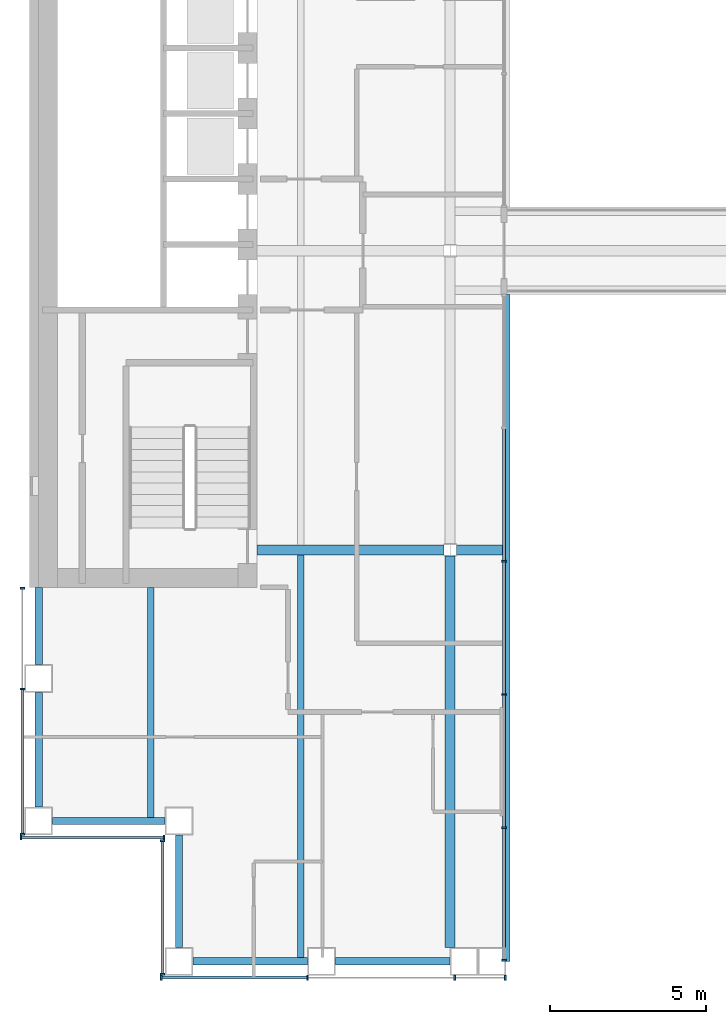
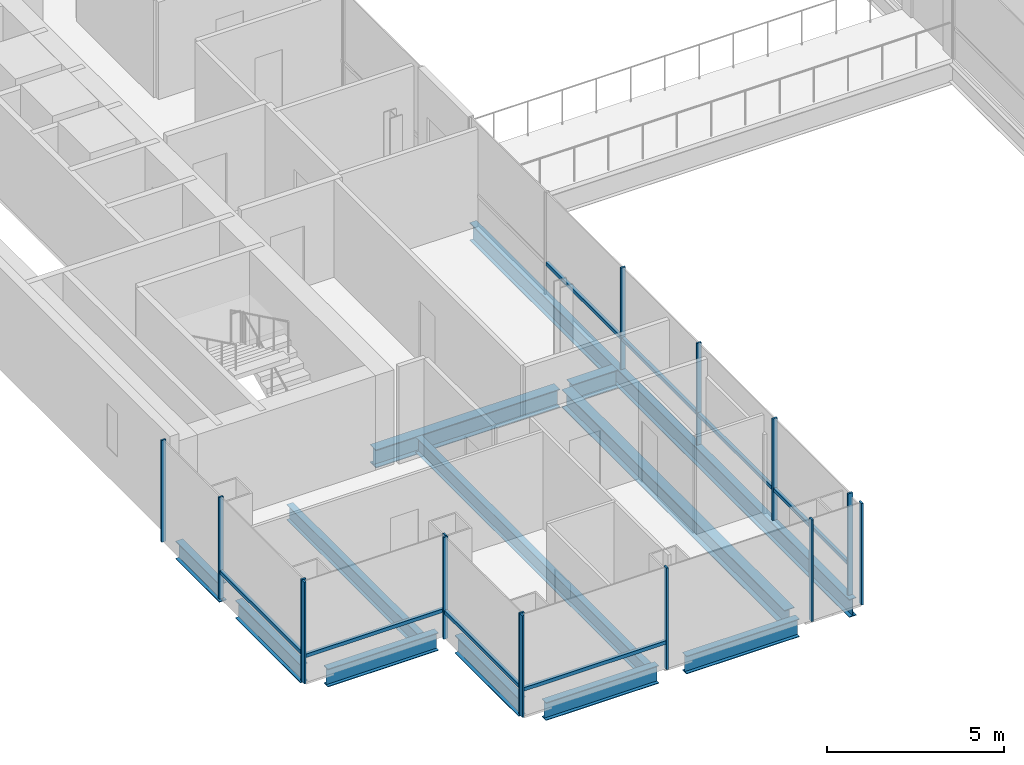
# One storey, part 2 of 16: 23 members, 12 beams, 5 elements without a shape of their own.
"""IFC4 building model written with IfcOpenShell, lengths in metres."""

from ifc_helpers import new_model, si_unit, direction, frame, origin, origin_2d, place, context, subcontext, project, spatial, rectangle, i_section, extrude, material, material_profile, profile_set, type_object, element, aggregate, save


model = new_model("IFC4")

# Units and contexts
model_context = context("Model", 3, precision=1e-05, world=origin(), true_north=direction((0.0, 1.0)))
body_context = subcontext(model_context, "Body", "Model", "MODEL_VIEW")
ifc_project = project(units=[si_unit("LENGTHUNIT", "METRE"), si_unit("AREAUNIT", "SQUARE_METRE"), si_unit("VOLUMEUNIT", "CUBIC_METRE"), si_unit("PLANEANGLEUNIT", "RADIAN"), si_unit("MASSUNIT", "GRAM", prefix="KILO")], contexts=[model_context])

# Site, building, storey
site_placement = place(None, origin())
site = spatial("IfcSite", under=ifc_project, at=site_placement, CompositionType="ELEMENT")
building_placement = place(site_placement, origin())
building = spatial("IfcBuilding", under=site, at=building_placement, Name="Cobrizo Arcos Hotel Tower", CompositionType="ELEMENT")
storey_placement = place(building_placement, frame((0.0, 0.0, 127.5)))
storey = spatial("IfcBuildingStorey", under=building, at=storey_placement, Name="L32", CompositionType="ELEMENT", Elevation=127.5)

# Curtain wall, members
ifc_material_1 = material(Name="Aluminium 6063-T6 anodised bronze", Category="aluminium")
curtain_wall_type_1 = type_object("IfcCurtainWallType", Name="CW-A guest facade", PredefinedType="NOTDEFINED", material=ifc_material_1)
curtain_wall_1_placement = place(storey_placement, origin())
curtain_wall_1 = element("IfcCurtainWall", 1, at=curtain_wall_1_placement, inside=storey, type_object=curtain_wall_type_1, Name="CW-A L32 S face", PredefinedType="NOTDEFINED")
ifc_material_profile_1 = material_profile(ifc_material_1, rectangle(XDim=0.14990234375, YDim=0.06005859375, at=origin_2d()), Name="CW-A mullion 150x60")
ifc_profile_set_1 = profile_set([ifc_material_profile_1], Name="Aluminium 6063-T6 anodised bronze")
member_type_1 = type_object("IfcMemberType", Name="CW-A mullion 150x60", PredefinedType="MULLION", material=ifc_profile_set_1)
member_1_placement = place(storey_placement, frame((-18.8701171875, -23.324951171875, 0.0), z_axis=(0.0, 0.0, 1.0), x_axis=(0.0, -1.0, 0.0)))
member_1 = element("IfcMember", 2, at=member_1_placement, type_object=member_type_1, Name="CW-A mullion 1", PredefinedType="MULLION", context=body_context, shape_type="SweptSolid", body=[
    extrude(rectangle(XDim=0.14990234375, YDim=0.06005859375, at=origin_2d()), origin(), (0.0, 0.0, 1.0), 3.5),
])
member_2_placement = place(storey_placement, frame((-14.175048828125, -23.324951171875, 0.0), z_axis=(0.0, 0.0, 1.0), x_axis=(0.0, -1.0, 0.0)))
member_2 = element("IfcMember", 3, at=member_2_placement, type_object=member_type_1, Name="CW-A mullion 2", PredefinedType="MULLION", context=body_context, shape_type="SweptSolid", body=[
    extrude(rectangle(XDim=0.14990234375, YDim=0.06005859375, at=origin_2d()), origin(), (0.0, 0.0, 1.0), 3.5),
])
member_3_placement = place(storey_placement, frame((-9.449951171875, -23.324951171875, 0.0), z_axis=(0.0, 0.0, 1.0), x_axis=(0.0, -1.0, 0.0)))
member_3 = element("IfcMember", 4, at=member_3_placement, type_object=member_type_1, Name="CW-A mullion 3", PredefinedType="MULLION", context=body_context, shape_type="SweptSolid", body=[
    extrude(rectangle(XDim=0.14990234375, YDim=0.06005859375, at=origin_2d()), origin(), (0.0, 0.0, 1.0), 3.5),
])
member_4_placement = place(storey_placement, frame((-7.830078125, -23.324951171875, 0.0), z_axis=(0.0, 0.0, 1.0), x_axis=(0.0, -1.0, 0.0)))
member_4 = element("IfcMember", 5, at=member_4_placement, type_object=member_type_1, Name="CW-A mullion 4", PredefinedType="MULLION", context=body_context, shape_type="SweptSolid", body=[
    extrude(rectangle(XDim=0.14990234375, YDim=0.06005859375, at=origin_2d()), origin(), (0.0, 0.0, 1.0), 3.5),
])

curtain_wall_2_placement = place(storey_placement, origin())
curtain_wall_2 = element("IfcCurtainWall", 6, at=curtain_wall_2_placement, inside=storey, type_object=curtain_wall_type_1, Name="CW-A L32 W face", PredefinedType="NOTDEFINED")
member_5_placement = place(storey_placement, frame((-23.324951171875, -10.830078125, 0.0), z_axis=(0.0, 0.0, 1.0), x_axis=(-1.0, 0.0, 0.0)))
member_5 = element("IfcMember", 7, at=member_5_placement, type_object=member_type_1, Name="CW-A mullion 1", PredefinedType="MULLION", context=body_context, shape_type="SweptSolid", body=[
    extrude(rectangle(XDim=0.14990234375, YDim=0.06005859375, at=origin_2d()), origin(), (0.0, 0.0, 1.0), 3.5),
])
member_6_placement = place(storey_placement, frame((-23.324951171875, -14.0625, 0.0), z_axis=(0.0, 0.0, 1.0), x_axis=(-1.0, 0.0, 0.0)))
member_6 = element("IfcMember", 8, at=member_6_placement, type_object=member_type_1, Name="CW-A mullion 2", PredefinedType="MULLION", context=body_context, shape_type="SweptSolid", body=[
    extrude(rectangle(XDim=0.14990234375, YDim=0.06005859375, at=origin_2d()), origin(), (0.0, 0.0, 1.0), 3.5),
])
member_7_placement = place(storey_placement, frame((-23.324951171875, -18.719970703125, 0.0), z_axis=(0.0, 0.0, 1.0), x_axis=(-1.0, 0.0, 0.0)))
member_7 = element("IfcMember", 9, at=member_7_placement, type_object=member_type_1, Name="CW-A mullion 3", PredefinedType="MULLION", context=body_context, shape_type="SweptSolid", body=[
    extrude(rectangle(XDim=0.14990234375, YDim=0.06005859375, at=origin_2d()), origin(), (0.0, 0.0, 1.0), 3.5),
])

curtain_wall_3_placement = place(storey_placement, origin())
curtain_wall_3 = element("IfcCurtainWall", 10, at=curtain_wall_3_placement, inside=storey, type_object=curtain_wall_type_1, Name="CW-A L32 S face", PredefinedType="NOTDEFINED")
member_8_placement = place(storey_placement, frame((-23.3701171875, -18.824951171875, 0.0), z_axis=(0.0, 0.0, 1.0), x_axis=(0.0, -1.0, 0.0)))
member_8 = element("IfcMember", 11, at=member_8_placement, type_object=member_type_1, Name="CW-A mullion 1", PredefinedType="MULLION", context=body_context, shape_type="SweptSolid", body=[
    extrude(rectangle(XDim=0.14990234375, YDim=0.06005859375, at=origin_2d()), origin(), (0.0, 0.0, 1.0), 3.5),
])
member_9_placement = place(storey_placement, frame((-18.780029296875, -18.824951171875, 0.0), z_axis=(0.0, 0.0, 1.0), x_axis=(0.0, -1.0, 0.0)))
member_9 = element("IfcMember", 12, at=member_9_placement, type_object=member_type_1, Name="CW-A mullion 2", PredefinedType="MULLION", context=body_context, shape_type="SweptSolid", body=[
    extrude(rectangle(XDim=0.14990234375, YDim=0.06005859375, at=origin_2d()), origin(), (0.0, 0.0, 1.0), 3.5),
])

curtain_wall_4_placement = place(storey_placement, origin())
curtain_wall_4 = element("IfcCurtainWall", 13, at=curtain_wall_4_placement, inside=storey, type_object=curtain_wall_type_1, Name="CW-A L32 W face", PredefinedType="NOTDEFINED")
member_10_placement = place(storey_placement, frame((-18.824951171875, -18.929931640625, 0.0), z_axis=(0.0, 0.0, 1.0), x_axis=(-1.0, 0.0, 0.0)))
member_10 = element("IfcMember", 14, at=member_10_placement, type_object=member_type_1, Name="CW-A mullion 1", PredefinedType="MULLION", context=body_context, shape_type="SweptSolid", body=[
    extrude(rectangle(XDim=0.14990234375, YDim=0.06005859375, at=origin_2d()), origin(), (0.0, 0.0, 1.0), 3.5),
])
member_11_placement = place(storey_placement, frame((-18.824951171875, -23.219970703125, 0.0), z_axis=(0.0, 0.0, 1.0), x_axis=(-1.0, 0.0, 0.0)))
member_11 = element("IfcMember", 15, at=member_11_placement, type_object=member_type_1, Name="CW-A mullion 2", PredefinedType="MULLION", context=body_context, shape_type="SweptSolid", body=[
    extrude(rectangle(XDim=0.14990234375, YDim=0.06005859375, at=origin_2d()), origin(), (0.0, 0.0, 1.0), 3.5),
])

# Member
ifc_material_profile_2 = material_profile(ifc_material_1, rectangle(XDim=0.10009765625, YDim=0.1201171875, at=origin_2d()), Name="CW-A transom 120x100")
ifc_profile_set_2 = profile_set([ifc_material_profile_2], Name="Aluminium 6063-T6 anodised bronze")
member_type_2 = type_object("IfcMemberType", Name="CW-A transom 120x100", PredefinedType="USERDEFINED", material=ifc_profile_set_2)
member_12_placement = place(storey_placement, frame((-18.840087890625, -23.324951171875, 0.929931640625), z_axis=(1.0, 0.0, 0.0), x_axis=(0.0, 1.0, 0.0)))
member_12 = element("IfcMember", 16, at=member_12_placement, type_object=member_type_2, Name="CW-A transom 1191", ObjectType="TRANSOM", PredefinedType="USERDEFINED", context=body_context, shape_type="SweptSolid", body=[
    extrude(rectangle(XDim=0.10009765625, YDim=0.1201171875, at=origin_2d()), origin(), (0.0, 0.0, 1.0), 4.635009765625),
])

aggregate(curtain_wall_1, [member_1, member_2, member_3, member_4, member_12])

member_13_placement = place(storey_placement, frame((-23.324951171875, -14.092529296875, 0.929931640625), z_axis=(0.0, -1.0, 0.0), x_axis=(1.0, 0.0, 0.0)))
member_13 = element("IfcMember", 17, at=member_13_placement, type_object=member_type_2, Name="CW-A transom 1216", ObjectType="TRANSOM", PredefinedType="USERDEFINED", context=body_context, shape_type="SweptSolid", body=[
    extrude(rectangle(XDim=0.10009765625, YDim=0.1201171875, at=origin_2d()), origin(), (0.0, 0.0, 1.0), 4.597412109375),
])

aggregate(curtain_wall_2, [member_5, member_6, member_7, member_13])

member_14_placement = place(storey_placement, frame((-23.340087890625, -18.824951171875, 0.929931640625), z_axis=(1.0, 0.0, 0.0), x_axis=(0.0, 1.0, 0.0)))
member_14 = element("IfcMember", 18, at=member_14_placement, type_object=member_type_2, Name="CW-A transom 1217", ObjectType="TRANSOM", PredefinedType="USERDEFINED", context=body_context, shape_type="SweptSolid", body=[
    extrude(rectangle(XDim=0.10009765625, YDim=0.1201171875, at=origin_2d()), origin(), (0.0, 0.0, 1.0), 4.530029296875),
])

aggregate(curtain_wall_3, [member_8, member_9, member_14])

member_15_placement = place(storey_placement, frame((-18.824951171875, -18.9599609375, 0.929931640625), z_axis=(0.0, -1.0, 0.0), x_axis=(1.0, 0.0, 0.0)))
member_15 = element("IfcMember", 19, at=member_15_placement, type_object=member_type_2, Name="CW-A transom 1218", ObjectType="TRANSOM", PredefinedType="USERDEFINED", context=body_context, shape_type="SweptSolid", body=[
    extrude(rectangle(XDim=0.10009765625, YDim=0.1201171875, at=origin_2d()), origin(), (0.0, 0.0, 1.0), 4.22998046875),
])

aggregate(curtain_wall_4, [member_10, member_11, member_15])

# Curtain wall, members
curtain_wall_type_2 = type_object("IfcCurtainWallType", Name="CW-F void screen", PredefinedType="NOTDEFINED", material=ifc_material_1)
curtain_wall_5_placement = place(storey_placement, origin())
curtain_wall_5 = element("IfcCurtainWall", 20, at=curtain_wall_5_placement, inside=storey, type_object=curtain_wall_type_2, Name="CW-F L32 void screen B", PredefinedType="NOTDEFINED")
ifc_material_profile_3 = material_profile(ifc_material_1, rectangle(XDim=0.14990234375, YDim=0.06005859375, at=origin_2d()), Name="CW-F mullion 150x60")
ifc_profile_set_3 = profile_set([ifc_material_profile_3], Name="Aluminium 6063-T6 anodised bronze")
member_type_3 = type_object("IfcMemberType", Name="CW-F mullion 150x60", PredefinedType="MULLION", material=ifc_profile_set_3)
member_16_placement = place(storey_placement, frame((-7.875, -9.9599609375, 0.0), z_axis=(0.0, 0.0, 1.0), x_axis=(-1.0, 0.0, 0.0)))
member_16 = element("IfcMember", 21, at=member_16_placement, type_object=member_type_3, Name="CW-F mullion 3", PredefinedType="MULLION", context=body_context, shape_type="SweptSolid", body=[
    extrude(rectangle(XDim=0.14990234375, YDim=0.06005859375, at=origin_2d()), origin(), (0.0, 0.0, 1.0), 3.5),
])
member_17_placement = place(storey_placement, frame((-7.875, -14.239990234375, 0.0), z_axis=(0.0, 0.0, 1.0), x_axis=(-1.0, 0.0, 0.0)))
member_17 = element("IfcMember", 22, at=member_17_placement, type_object=member_type_3, Name="CW-F mullion 4", PredefinedType="MULLION", context=body_context, shape_type="SweptSolid", body=[
    extrude(rectangle(XDim=0.14990234375, YDim=0.06005859375, at=origin_2d()), origin(), (0.0, 0.0, 1.0), 3.5),
])
member_18_placement = place(storey_placement, frame((-7.875, -18.52001953125, 0.0), z_axis=(0.0, 0.0, 1.0), x_axis=(-1.0, 0.0, 0.0)))
member_18 = element("IfcMember", 23, at=member_18_placement, type_object=member_type_3, Name="CW-F mullion 5", PredefinedType="MULLION", context=body_context, shape_type="SweptSolid", body=[
    extrude(rectangle(XDim=0.14990234375, YDim=0.06005859375, at=origin_2d()), origin(), (0.0, 0.0, 1.0), 3.5),
])
member_19_placement = place(storey_placement, frame((-7.875, -22.77001953125, 0.0), z_axis=(0.0, 0.0, 1.0), x_axis=(-1.0, 0.0, 0.0)))
member_19 = element("IfcMember", 24, at=member_19_placement, type_object=member_type_3, Name="CW-F mullion 6", PredefinedType="MULLION", context=body_context, shape_type="SweptSolid", body=[
    extrude(rectangle(XDim=0.14990234375, YDim=0.06005859375, at=origin_2d()), origin(), (0.0, 0.0, 1.0), 3.5),
])
ifc_material_profile_4 = material_profile(ifc_material_1, rectangle(XDim=0.10009765625, YDim=0.1201171875, at=origin_2d()), Name="CW-F transom 120x100")
ifc_profile_set_4 = profile_set([ifc_material_profile_4], Name="Aluminium 6063-T6 anodised bronze")
member_type_4 = type_object("IfcMemberType", Name="CW-F transom 120x100", PredefinedType="USERDEFINED", material=ifc_profile_set_4)
member_20_placement = place(storey_placement, frame((-7.875, -5.7099609375, 1.050048828125), z_axis=(0.0, -1.0, 0.0), x_axis=(1.0, 0.0, 0.0)))
member_20 = element("IfcMember", 25, at=member_20_placement, type_object=member_type_4, Name="CW-F transom 2642", ObjectType="TRANSOM", PredefinedType="USERDEFINED", context=body_context, shape_type="SweptSolid", body=[
    extrude(rectangle(XDim=0.10009765625, YDim=0.1201171875, at=origin_2d()), origin(), (0.0, 0.0, 1.0), 4.219970703125),
])
member_21_placement = place(storey_placement, frame((-7.875, -9.989990234375, 1.050048828125), z_axis=(0.0, -1.0, 0.0), x_axis=(1.0, 0.0, 0.0)))
member_21 = element("IfcMember", 26, at=member_21_placement, type_object=member_type_4, Name="CW-F transom 2643", ObjectType="TRANSOM", PredefinedType="USERDEFINED", context=body_context, shape_type="SweptSolid", body=[
    extrude(rectangle(XDim=0.10009765625, YDim=0.1201171875, at=origin_2d()), origin(), (0.0, 0.0, 1.0), 4.219970703125),
])
member_22_placement = place(storey_placement, frame((-7.875, -14.27001953125, 1.050048828125), z_axis=(0.0, -1.0, 0.0), x_axis=(1.0, 0.0, 0.0)))
member_22 = element("IfcMember", 27, at=member_22_placement, type_object=member_type_4, Name="CW-F transom 2644", ObjectType="TRANSOM", PredefinedType="USERDEFINED", context=body_context, shape_type="SweptSolid", body=[
    extrude(rectangle(XDim=0.10009765625, YDim=0.1201171875, at=origin_2d()), origin(), (0.0, 0.0, 1.0), 4.219970703125),
])
member_23_placement = place(storey_placement, frame((-7.875, -18.550048828125, 1.050048828125), z_axis=(0.0, -1.0, 0.0), x_axis=(1.0, 0.0, 0.0)))
member_23 = element("IfcMember", 28, at=member_23_placement, type_object=member_type_4, Name="CW-F transom 2645", ObjectType="TRANSOM", PredefinedType="USERDEFINED", context=body_context, shape_type="SweptSolid", body=[
    extrude(rectangle(XDim=0.10009765625, YDim=0.1201171875, at=origin_2d()), origin(), (0.0, 0.0, 1.0), 4.18994140625),
])
aggregate(curtain_wall_5, [member_16, member_17, member_18, member_19, member_20, member_21, member_22, member_23])

# Beams
ifc_material_2 = material(Name="Steel ASTM A992 Grade 50", Category="steel")
ifc_material_profile_5 = material_profile(ifc_material_2, i_section(OverallWidth=0.209228515625, OverallDepth=0.533447265625, WebThickness=0.01025390625, FlangeThickness=0.015625, at=origin_2d()), Name="W21X62")
ifc_profile_set_5 = profile_set([ifc_material_profile_5], Name="Steel ASTM A992 Grade 50")
beam_type_1 = type_object("IfcBeamType", Name="W21X62 joist", PredefinedType="JOIST", material=ifc_profile_set_5)
beam_1_placement = place(storey_placement, frame((-19.199951171875, -18.2099609375, -0.416748046875), z_axis=(0.0, 1.0, 0.0), x_axis=(-1.0, 0.0, 0.0)))
element("IfcBeam", 29, at=beam_1_placement, inside=storey, type_object=beam_type_1, Name="Floor joist J1, L32, no. 001", PredefinedType="JOIST", context=body_context, shape_type="SweptSolid", body=[
    extrude(i_section(OverallWidth=0.209228515625, OverallDepth=0.533447265625, WebThickness=0.01025390625, FlangeThickness=0.015625, at=origin_2d()), origin(), (0.0, 0.0, 1.0), 7.39990234375),
])
beam_2_placement = place(storey_placement, frame((-14.39990234375, -22.7099609375, -0.416748046875), z_axis=(0.0, 1.0, 0.0), x_axis=(-1.0, 0.0, 0.0)))
element("IfcBeam", 30, at=beam_2_placement, inside=storey, type_object=beam_type_1, Name="Floor joist J1, L32, no. 003", PredefinedType="JOIST", context=body_context, shape_type="SweptSolid", body=[
    extrude(i_section(OverallWidth=0.209228515625, OverallDepth=0.533447265625, WebThickness=0.01025390625, FlangeThickness=0.015625, at=origin_2d()), origin(), (0.0, 0.0, 1.0), 12.946044921875),
])
ifc_material_profile_6 = material_profile(ifc_material_2, i_section(OverallWidth=0.32763671875, OverallDepth=0.622314453125, WebThickness=0.015380859375, FlangeThickness=0.0244140625, at=origin_2d()), Name="W24X131")
ifc_profile_set_6 = profile_set([ifc_material_profile_6], Name="Steel ASTM A992 Grade 50")
beam_type_2 = type_object("IfcBeamType", Name="W24X131 girder", PredefinedType="BEAM", material=ifc_profile_set_6)
beam_3_placement = place(storey_placement, frame((-15.7900390625, -9.60009765625, -0.461181640625), z_axis=(1.0, 0.0, 0.0), x_axis=(0.0, 1.0, 0.0)))
element("IfcBeam", 31, at=beam_3_placement, inside=storey, type_object=beam_type_2, Name="Floor girder G1, L32, no. 001", PredefinedType="BEAM", context=body_context, shape_type="SweptSolid", body=[
    extrude(i_section(OverallWidth=0.32763671875, OverallDepth=0.622314453125, WebThickness=0.015380859375, FlangeThickness=0.0244140625, at=origin_2d()), origin(), (0.0, 0.0, 1.0), 5.99072265625),
])
beam_4_placement = place(storey_placement, frame((-9.400634765625, -9.60009765625, -0.461181640625), z_axis=(1.0, 0.0, 0.0), x_axis=(0.0, 1.0, 0.0)))
element("IfcBeam", 32, at=beam_4_placement, inside=storey, type_object=beam_type_2, Name="Floor girder G1, L32, no. 002", PredefinedType="BEAM", context=body_context, shape_type="SweptSolid", body=[
    extrude(i_section(OverallWidth=0.32763671875, OverallDepth=0.622314453125, WebThickness=0.015380859375, FlangeThickness=0.0244140625, at=origin_2d()), origin(), (0.0, 0.0, 1.0), 1.5107421875),
])
beam_5_placement = place(storey_placement, frame((-9.60009765625, -22.35009765625, -0.461181640625), z_axis=(0.0, 1.0, 0.0), x_axis=(-1.0, 0.0, 0.0)))
element("IfcBeam", 33, at=beam_5_placement, inside=storey, type_object=beam_type_2, Name="Floor girder G1, L32, no. 012", PredefinedType="BEAM", context=body_context, shape_type="SweptSolid", body=[
    extrude(i_section(OverallWidth=0.32763671875, OverallDepth=0.622314453125, WebThickness=0.015380859375, FlangeThickness=0.0244140625, at=origin_2d()), origin(), (0.0, 0.0, 1.0), 12.55078125),
])
ifc_material_profile_7 = material_profile(ifc_material_2, i_section(OverallWidth=0.23046875, OverallDepth=0.6171875, WebThickness=0.01318359375, FlangeThickness=0.022216796875, at=origin_2d()), Name="W24X94")
ifc_profile_set_7 = profile_set([ifc_material_profile_7], Name="Steel ASTM A992 Grade 50")
beam_type_3 = type_object("IfcBeamType", Name="W24X94 spandrel", PredefinedType="SPANDREL", material=ifc_profile_set_7)
beam_6_placement = place(storey_placement, frame((-7.800048828125, -1.39990234375, -0.45849609375), z_axis=(0.0, -1.0, 0.0), x_axis=(1.0, 0.0, 0.0)))
element("IfcBeam", 34, at=beam_6_placement, inside=storey, type_object=beam_type_3, Name="Spandrel beam W24X94, L32, no. 011", PredefinedType="SPANDREL", context=body_context, shape_type="SweptSolid", body=[
    extrude(i_section(OverallWidth=0.23046875, OverallDepth=0.6171875, WebThickness=0.01318359375, FlangeThickness=0.022216796875, at=origin_2d()), origin(), (0.0, 0.0, 1.0), 21.400146484375),
])
beam_7_placement = place(storey_placement, frame((-9.60009765625, -22.800048828125, -0.45849609375), z_axis=(-1.0, 0.0, 0.0), x_axis=(0.0, -1.0, 0.0)))
element("IfcBeam", 35, at=beam_7_placement, inside=storey, type_object=beam_type_3, Name="Spandrel beam W24X94, L32, no. 012", PredefinedType="SPANDREL", context=body_context, shape_type="SweptSolid", body=[
    extrude(i_section(OverallWidth=0.23046875, OverallDepth=0.6171875, WebThickness=0.01318359375, FlangeThickness=0.022216796875, at=origin_2d()), origin(), (0.0, 0.0, 1.0), 3.6748046875),
])
beam_8_placement = place(storey_placement, frame((-14.175048828125, -22.800048828125, -0.45849609375), z_axis=(-1.0, 0.0, 0.0), x_axis=(0.0, -1.0, 0.0)))
element("IfcBeam", 36, at=beam_8_placement, inside=storey, type_object=beam_type_3, Name="Spandrel beam W24X94, L32, no. 013", PredefinedType="SPANDREL", context=body_context, shape_type="SweptSolid", body=[
    extrude(i_section(OverallWidth=0.23046875, OverallDepth=0.6171875, WebThickness=0.01318359375, FlangeThickness=0.022216796875, at=origin_2d()), origin(), (0.0, 0.0, 1.0), 3.675048828125),
])
for number, where, z_axis, x_axis, name in (
    (37, (-18.300048828125, -22.35009765625, -0.45849609375), (0.0, 1.0, 0.0), (-1.0, 0.0, 0.0), "Spandrel beam W24X94, L32, no. 014"),
    (38, (-18.75, -18.300048828125, -0.45849609375), (-1.0, 0.0, 0.0), (0.0, -1.0, 0.0), "Spandrel beam W24X94, L32, no. 015"),
):
    element("IfcBeam", number, at=place(storey_placement, frame(where, z_axis=z_axis, x_axis=x_axis)), inside=storey, type_object=beam_type_3, Name=name, PredefinedType="SPANDREL", context=body_context, shape_type="SweptSolid", body=[
        extrude(i_section(OverallWidth=0.23046875, OverallDepth=0.6171875, WebThickness=0.01318359375, FlangeThickness=0.022216796875, at=origin_2d()), origin(), (0.0, 0.0, 1.0), 3.60009765625),
    ])
beam_9_placement = place(storey_placement, frame((-22.800048828125, -17.85009765625, -0.45849609375), z_axis=(0.0, 1.0, 0.0), x_axis=(-1.0, 0.0, 0.0)))
element("IfcBeam", 39, at=beam_9_placement, inside=storey, type_object=beam_type_3, Name="Spandrel beam W24X94, L32, no. 016", PredefinedType="SPANDREL", context=body_context, shape_type="SweptSolid", body=[
    extrude(i_section(OverallWidth=0.23046875, OverallDepth=0.6171875, WebThickness=0.01318359375, FlangeThickness=0.022216796875, at=origin_2d()), origin(), (0.0, 0.0, 1.0), 3.675048828125),
])
beam_10_placement = place(storey_placement, frame((-22.800048828125, -13.27490234375, -0.45849609375), z_axis=(0.0, 1.0, 0.0), x_axis=(-1.0, 0.0, 0.0)))
element("IfcBeam", 40, at=beam_10_placement, inside=storey, type_object=beam_type_3, Name="Spandrel beam W24X94, L32, no. 017", PredefinedType="SPANDREL", context=body_context, shape_type="SweptSolid", body=[
    extrude(i_section(OverallWidth=0.23046875, OverallDepth=0.6171875, WebThickness=0.01318359375, FlangeThickness=0.022216796875, at=origin_2d()), origin(), (0.0, 0.0, 1.0), 2.46484375),
])

save(model, "model.ifc")
